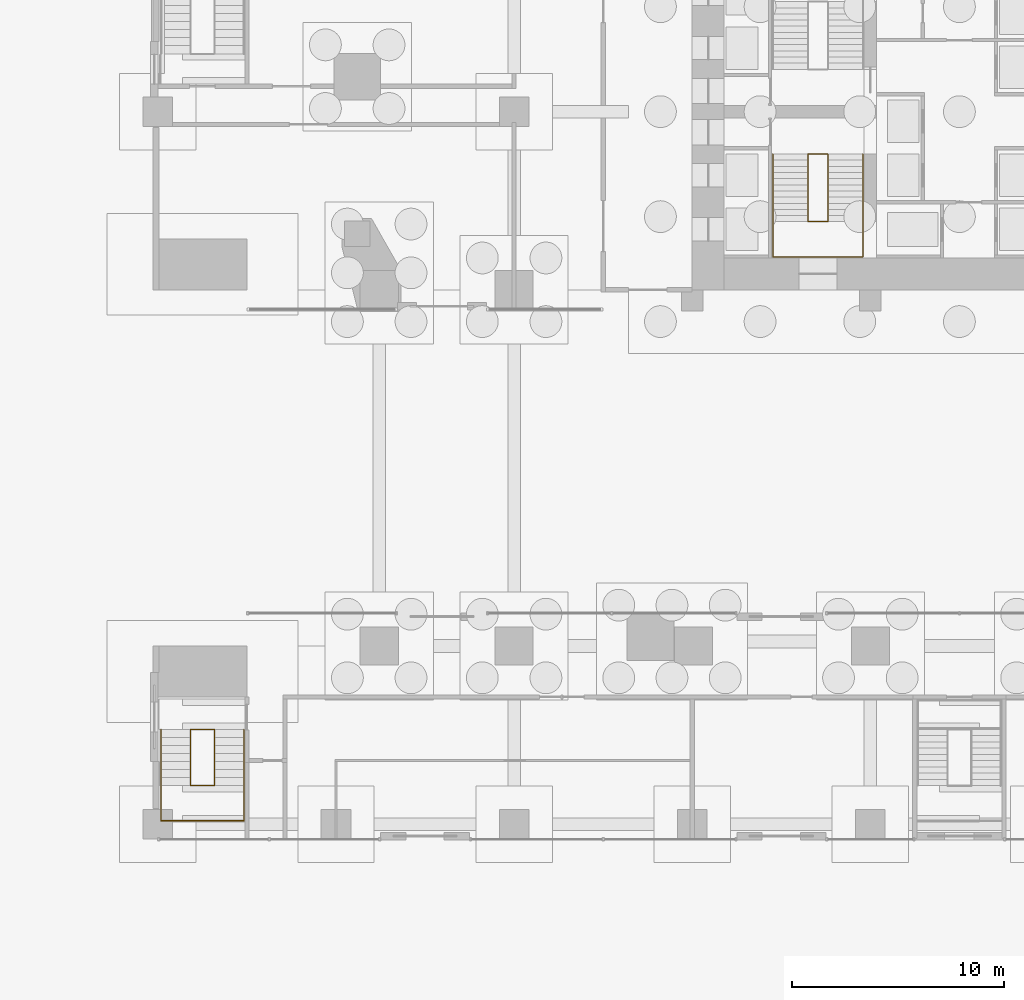
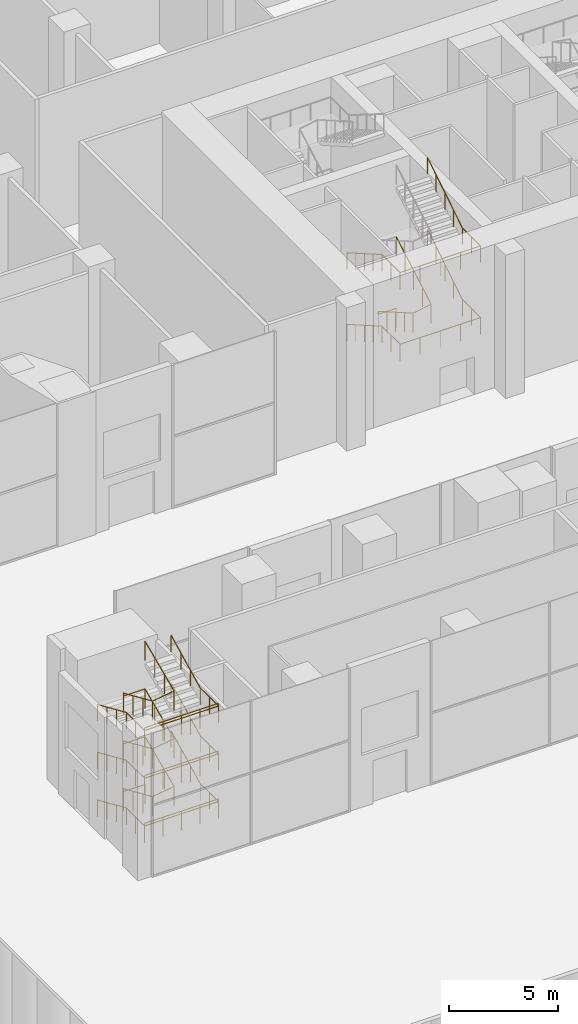
# One storey, part 24 of 31: 12 railings.
"""IFC4 building model written with IfcOpenShell, lengths in metres."""

from ifc_helpers import new_model, si_unit, direction, frame, origin, origin_2d, place, context, subcontext, project, spatial, circle, extrude, material, type_object, element, save


model = new_model("IFC4")

# Units and contexts
model_context = context("Model", 3, precision=1e-05, world=origin(), true_north=direction((0.0, 1.0)))
body_context = subcontext(model_context, "Body", "Model", "MODEL_VIEW")
ifc_project = project(units=[si_unit("LENGTHUNIT", "METRE"), si_unit("AREAUNIT", "SQUARE_METRE"), si_unit("VOLUMEUNIT", "CUBIC_METRE"), si_unit("PLANEANGLEUNIT", "RADIAN"), si_unit("MASSUNIT", "GRAM", prefix="KILO")], contexts=[model_context])

# Site, building, storey
site_placement = place(None, origin())
site = spatial("IfcSite", under=ifc_project, at=site_placement, CompositionType="ELEMENT")
building_placement = place(site_placement, origin())
building = spatial("IfcBuilding", under=site, at=building_placement, Name="Marenta Gate Hotel Tower", CompositionType="ELEMENT")
storey_placement = place(building_placement, origin())
storey = spatial("IfcBuildingStorey", under=building, at=storey_placement, Name="L00", CompositionType="ELEMENT", Elevation=0.0)

# Railings
ifc_material_1 = material(Name="Stainless steel", Category="steel")
railing_type_1 = type_object("IfcRailingType", Name="Core stair handrail 950", PredefinedType="HANDRAIL", material=ifc_material_1)
railing_1_placement = place(storey_placement, frame((-8.800048828125, 6.39990234375, 0.166748046875)))
element("IfcRailing", 1, at=railing_1_placement, inside=storey, type_object=railing_type_1, Name="HR-950 L00-KR-ST1-1", PredefinedType="HANDRAIL", context=body_context, shape_type="SweptSolid", body=[
    extrude(circle(Radius=0.02392578125, at=origin_2d()), frame((0.0, 0.0, 0.92578125), z_axis=(0.0, -0.867019545617, 0.498274128887), x_axis=(1.0, 0.0, 0.0)), (0.0, 0.0, 1.0), 3.67919921875),
    extrude(circle(Radius=0.02392578125, at=origin_2d()), frame((0.0, -3.18994140625, 2.75927734375), z_axis=(0.0, -1.0, 0.0), x_axis=(1.0, 0.0, 0.0)), (0.0, 0.0, 1.0), 1.659912109375),
    extrude(circle(Radius=0.02392578125, at=origin_2d()), frame((0.0, -4.849853515625, 2.75927734375), z_axis=(1.0, 0.0, 0.0), x_axis=(0.0, 1.0, 0.0)), (0.0, 0.0, 1.0), 4.25),
    extrude(circle(Radius=0.02392578125, at=origin_2d()), frame((4.25, -4.849853515625, 2.75927734375), z_axis=(0.0, 1.0, 0.0), x_axis=(-1.0, 0.0, 0.0)), (0.0, 0.0, 1.0), 1.659912109375),
    extrude(circle(Radius=0.02392578125, at=origin_2d()), frame((4.25, -3.18994140625, 2.75927734375), z_axis=(0.0, 0.847247016309, 0.531199108955), x_axis=(-1.0, 0.0, 0.0)), (0.0, 0.0, 1.0), 3.76513671875),
    extrude(circle(Radius=0.02099609375, at=origin_2d()), origin(), (0.0, 0.0, 1.0), 0.90185546875),
    extrude(circle(Radius=0.02099609375, at=origin_2d()), frame((0.0, -0.79736328125, 0.458251953125)), (0.0, 0.0, 1.0), 0.90185546875),
    extrude(circle(Radius=0.02099609375, at=origin_2d()), frame((0.0, -1.594970703125, 0.91650390625)), (0.0, 0.0, 1.0), 0.90185546875),
    extrude(circle(Radius=0.02099609375, at=origin_2d()), frame((0.0, -2.392578125, 1.375)), (0.0, 0.0, 1.0), 0.90185546875),
    extrude(circle(Radius=0.02099609375, at=origin_2d()), frame((0.0, -3.18994140625, 1.833251953125)), (0.0, 0.0, 1.0), 0.90185546875),
    extrude(circle(Radius=0.02099609375, at=origin_2d()), frame((0.0, -4.02001953125, 1.833251953125)), (0.0, 0.0, 1.0), 0.90185546875),
    extrude(circle(Radius=0.02099609375, at=origin_2d()), frame((0.0, -4.849853515625, 1.833251953125)), (0.0, 0.0, 1.0), 0.90185546875),
    extrude(circle(Radius=0.02099609375, at=origin_2d()), frame((1.0625, -4.849853515625, 1.833251953125)), (0.0, 0.0, 1.0), 0.90185546875),
    extrude(circle(Radius=0.02099609375, at=origin_2d()), frame((2.125, -4.849853515625, 1.833251953125)), (0.0, 0.0, 1.0), 0.90185546875),
    extrude(circle(Radius=0.02099609375, at=origin_2d()), frame((3.1875, -4.849853515625, 1.833251953125)), (0.0, 0.0, 1.0), 0.90185546875),
    extrude(circle(Radius=0.02099609375, at=origin_2d()), frame((4.25, -4.849853515625, 1.833251953125)), (0.0, 0.0, 1.0), 0.90185546875),
    extrude(circle(Radius=0.02099609375, at=origin_2d()), frame((4.25, -4.02001953125, 1.833251953125)), (0.0, 0.0, 1.0), 0.90185546875),
    extrude(circle(Radius=0.02099609375, at=origin_2d()), frame((4.25, -3.18994140625, 1.833251953125)), (0.0, 0.0, 1.0), 0.90185546875),
    extrude(circle(Radius=0.02099609375, at=origin_2d()), frame((4.25, -2.392578125, 2.333251953125)), (0.0, 0.0, 1.0), 0.90185546875),
    extrude(circle(Radius=0.02099609375, at=origin_2d()), frame((4.25, -1.594970703125, 2.833251953125)), (0.0, 0.0, 1.0), 0.90185546875),
    extrude(circle(Radius=0.02099609375, at=origin_2d()), frame((4.25, -0.79736328125, 3.333251953125)), (0.0, 0.0, 1.0), 0.90185546875),
    extrude(circle(Radius=0.02099609375, at=origin_2d()), frame((4.25, 0.0, 3.833251953125)), (0.0, 0.0, 1.0), 0.90185546875),
])
railing_2_placement = place(storey_placement, frame((-8.800048828125, 6.39990234375, 4.166748046875)))
element("IfcRailing", 2, at=railing_2_placement, inside=storey, type_object=railing_type_1, Name="HR-950 L00-KR-ST1-3", PredefinedType="HANDRAIL", context=body_context, shape_type="SweptSolid", body=[
    extrude(circle(Radius=0.02392578125, at=origin_2d()), frame((0.0, 0.0, 0.92578125), z_axis=(0.0, -0.867019545617, 0.498274128887), x_axis=(1.0, 0.0, 0.0)), (0.0, 0.0, 1.0), 3.67919921875),
    extrude(circle(Radius=0.02392578125, at=origin_2d()), frame((0.0, -3.18994140625, 2.75927734375), z_axis=(0.0, -1.0, 0.0), x_axis=(1.0, 0.0, 0.0)), (0.0, 0.0, 1.0), 1.659912109375),
    extrude(circle(Radius=0.02392578125, at=origin_2d()), frame((0.0, -4.849853515625, 2.75927734375), z_axis=(1.0, 0.0, 0.0), x_axis=(0.0, 1.0, 0.0)), (0.0, 0.0, 1.0), 4.25),
    extrude(circle(Radius=0.02392578125, at=origin_2d()), frame((4.25, -4.849853515625, 2.75927734375), z_axis=(0.0, 1.0, 0.0), x_axis=(-1.0, 0.0, 0.0)), (0.0, 0.0, 1.0), 1.659912109375),
    extrude(circle(Radius=0.02392578125, at=origin_2d()), frame((4.25, -3.18994140625, 2.75927734375), z_axis=(0.0, 0.847247016309, 0.531199108955), x_axis=(-1.0, 0.0, 0.0)), (0.0, 0.0, 1.0), 3.76513671875),
    extrude(circle(Radius=0.02099609375, at=origin_2d()), origin(), (0.0, 0.0, 1.0), 0.90185546875),
    extrude(circle(Radius=0.02099609375, at=origin_2d()), frame((0.0, -0.79736328125, 0.458251953125)), (0.0, 0.0, 1.0), 0.90185546875),
    extrude(circle(Radius=0.02099609375, at=origin_2d()), frame((0.0, -1.594970703125, 0.91650390625)), (0.0, 0.0, 1.0), 0.90185546875),
    extrude(circle(Radius=0.02099609375, at=origin_2d()), frame((0.0, -2.392578125, 1.375)), (0.0, 0.0, 1.0), 0.90185546875),
    extrude(circle(Radius=0.02099609375, at=origin_2d()), frame((0.0, -3.18994140625, 1.833251953125)), (0.0, 0.0, 1.0), 0.90185546875),
    extrude(circle(Radius=0.02099609375, at=origin_2d()), frame((0.0, -4.02001953125, 1.833251953125)), (0.0, 0.0, 1.0), 0.90185546875),
    extrude(circle(Radius=0.02099609375, at=origin_2d()), frame((0.0, -4.849853515625, 1.833251953125)), (0.0, 0.0, 1.0), 0.90185546875),
    extrude(circle(Radius=0.02099609375, at=origin_2d()), frame((1.0625, -4.849853515625, 1.833251953125)), (0.0, 0.0, 1.0), 0.90185546875),
    extrude(circle(Radius=0.02099609375, at=origin_2d()), frame((2.125, -4.849853515625, 1.833251953125)), (0.0, 0.0, 1.0), 0.90185546875),
    extrude(circle(Radius=0.02099609375, at=origin_2d()), frame((3.1875, -4.849853515625, 1.833251953125)), (0.0, 0.0, 1.0), 0.90185546875),
    extrude(circle(Radius=0.02099609375, at=origin_2d()), frame((4.25, -4.849853515625, 1.833251953125)), (0.0, 0.0, 1.0), 0.90185546875),
    extrude(circle(Radius=0.02099609375, at=origin_2d()), frame((4.25, -4.02001953125, 1.833251953125)), (0.0, 0.0, 1.0), 0.90185546875),
    extrude(circle(Radius=0.02099609375, at=origin_2d()), frame((4.25, -3.18994140625, 1.833251953125)), (0.0, 0.0, 1.0), 0.90185546875),
    extrude(circle(Radius=0.02099609375, at=origin_2d()), frame((4.25, -2.392578125, 2.333251953125)), (0.0, 0.0, 1.0), 0.90185546875),
    extrude(circle(Radius=0.02099609375, at=origin_2d()), frame((4.25, -1.594970703125, 2.833251953125)), (0.0, 0.0, 1.0), 0.90185546875),
    extrude(circle(Radius=0.02099609375, at=origin_2d()), frame((4.25, -0.79736328125, 3.333251953125)), (0.0, 0.0, 1.0), 0.90185546875),
    extrude(circle(Radius=0.02099609375, at=origin_2d()), frame((4.25, 0.0, 3.833251953125)), (0.0, 0.0, 1.0), 0.90185546875),
])
railing_3_placement = place(storey_placement, frame((-37.64990234375, -20.72998046875, 0.166748046875)))
element("IfcRailing", 3, at=railing_3_placement, inside=storey, type_object=railing_type_1, Name="HR-950 L00-KR-PX1-2", PredefinedType="HANDRAIL", context=body_context, shape_type="SweptSolid", body=[
    extrude(circle(Radius=0.02392578125, at=origin_2d()), frame((0.0, 0.0, 0.92578125), z_axis=(0.0, -0.915803938995, 0.401625628317), x_axis=(1.0, 0.0, 0.0)), (0.0, 0.0, 1.0), 2.904541015625),
    extrude(circle(Radius=0.02392578125, at=origin_2d()), frame((0.0, -2.659912109375, 2.09228515625), z_axis=(0.0, -1.0, 0.0), x_axis=(1.0, 0.0, 0.0)), (0.0, 0.0, 1.0), 1.66015625),
    extrude(circle(Radius=0.02392578125, at=origin_2d()), frame((0.0, -4.320068359375, 2.09228515625), z_axis=(1.0, 0.0, 0.0), x_axis=(0.0, 1.0, 0.0)), (0.0, 0.0, 1.0), 3.89990234375),
    extrude(circle(Radius=0.02392578125, at=origin_2d()), frame((3.89990234375, -4.320068359375, 2.09228515625), z_axis=(0.0, 1.0, 0.0), x_axis=(-1.0, 0.0, 0.0)), (0.0, 0.0, 1.0), 1.66015625),
    extrude(circle(Radius=0.02392578125, at=origin_2d()), frame((3.89990234375, -2.659912109375, 2.09228515625), z_axis=(0.0, 0.89395078604, 0.448165139362), x_axis=(-1.0, 0.0, 0.0)), (0.0, 0.0, 1.0), 2.975341796875),
    extrude(circle(Radius=0.02099609375, at=origin_2d()), origin(), (0.0, 0.0, 1.0), 0.90185546875),
    extrude(circle(Radius=0.02099609375, at=origin_2d()), frame((0.0, -0.88671875, 0.388916015625)), (0.0, 0.0, 1.0), 0.90185546875),
    extrude(circle(Radius=0.02099609375, at=origin_2d()), frame((0.0, -1.773193359375, 0.777587890625)), (0.0, 0.0, 1.0), 0.90185546875),
    extrude(circle(Radius=0.02099609375, at=origin_2d()), frame((0.0, -2.659912109375, 1.16650390625)), (0.0, 0.0, 1.0), 0.90185546875),
    extrude(circle(Radius=0.02099609375, at=origin_2d()), frame((0.0, -3.489990234375, 1.16650390625)), (0.0, 0.0, 1.0), 0.90185546875),
    extrude(circle(Radius=0.02099609375, at=origin_2d()), frame((0.0, -4.320068359375, 1.16650390625)), (0.0, 0.0, 1.0), 0.90185546875),
    extrude(circle(Radius=0.02099609375, at=origin_2d()), frame((0.97509765625, -4.320068359375, 1.16650390625)), (0.0, 0.0, 1.0), 0.90185546875),
    extrude(circle(Radius=0.02099609375, at=origin_2d()), frame((1.949951171875, -4.320068359375, 1.16650390625)), (0.0, 0.0, 1.0), 0.90185546875),
    extrude(circle(Radius=0.02099609375, at=origin_2d()), frame((2.9248046875, -4.320068359375, 1.16650390625)), (0.0, 0.0, 1.0), 0.90185546875),
    extrude(circle(Radius=0.02099609375, at=origin_2d()), frame((3.89990234375, -4.320068359375, 1.16650390625)), (0.0, 0.0, 1.0), 0.90185546875),
    extrude(circle(Radius=0.02099609375, at=origin_2d()), frame((3.89990234375, -3.489990234375, 1.16650390625)), (0.0, 0.0, 1.0), 0.90185546875),
    extrude(circle(Radius=0.02099609375, at=origin_2d()), frame((3.89990234375, -2.659912109375, 1.16650390625)), (0.0, 0.0, 1.0), 0.90185546875),
    extrude(circle(Radius=0.02099609375, at=origin_2d()), frame((3.89990234375, -1.773193359375, 1.611083984375)), (0.0, 0.0, 1.0), 0.90185546875),
    extrude(circle(Radius=0.02099609375, at=origin_2d()), frame((3.89990234375, -0.88671875, 2.055419921875)), (0.0, 0.0, 1.0), 0.90185546875),
    extrude(circle(Radius=0.02099609375, at=origin_2d()), frame((3.89990234375, 0.0, 2.5)), (0.0, 0.0, 1.0), 0.90185546875),
])
railing_4_placement = place(storey_placement, frame((-37.64990234375, -20.72998046875, 2.833251953125)))
element("IfcRailing", 4, at=railing_4_placement, inside=storey, type_object=railing_type_1, Name="HR-950 L00-KR-PX1-5", PredefinedType="HANDRAIL", context=body_context, shape_type="SweptSolid", body=[
    extrude(circle(Radius=0.02392578125, at=origin_2d()), frame((0.0, 0.0, 0.92578125), z_axis=(0.0, -0.915773020194, 0.401696123314), x_axis=(1.0, 0.0, 0.0)), (0.0, 0.0, 1.0), 2.904541015625),
    extrude(circle(Radius=0.02392578125, at=origin_2d()), frame((0.0, -2.659912109375, 2.0927734375), z_axis=(0.0, -1.0, 0.0), x_axis=(1.0, 0.0, 0.0)), (0.0, 0.0, 1.0), 1.66015625),
    extrude(circle(Radius=0.02392578125, at=origin_2d()), frame((0.0, -4.320068359375, 2.0927734375), z_axis=(1.0, 0.0, 0.0), x_axis=(0.0, 1.0, 0.0)), (0.0, 0.0, 1.0), 3.89990234375),
    extrude(circle(Radius=0.02392578125, at=origin_2d()), frame((3.89990234375, -4.320068359375, 2.0927734375), z_axis=(0.0, 1.0, 0.0), x_axis=(-1.0, 0.0, 0.0)), (0.0, 0.0, 1.0), 1.66015625),
    extrude(circle(Radius=0.02392578125, at=origin_2d()), frame((3.89990234375, -2.659912109375, 2.0927734375), z_axis=(0.0, 0.893983657746, 0.448099564475), x_axis=(-1.0, 0.0, 0.0)), (0.0, 0.0, 1.0), 2.975341796875),
    extrude(circle(Radius=0.02099609375, at=origin_2d()), origin(), (0.0, 0.0, 1.0), 0.90185546875),
    extrude(circle(Radius=0.02099609375, at=origin_2d()), frame((0.0, -0.88671875, 0.388916015625)), (0.0, 0.0, 1.0), 0.90185546875),
    extrude(circle(Radius=0.02099609375, at=origin_2d()), frame((0.0, -1.773193359375, 0.77783203125)), (0.0, 0.0, 1.0), 0.90185546875),
    extrude(circle(Radius=0.02099609375, at=origin_2d()), frame((0.0, -2.659912109375, 1.166748046875)), (0.0, 0.0, 1.0), 0.90185546875),
    extrude(circle(Radius=0.02099609375, at=origin_2d()), frame((0.0, -3.489990234375, 1.166748046875)), (0.0, 0.0, 1.0), 0.90185546875),
    extrude(circle(Radius=0.02099609375, at=origin_2d()), frame((0.0, -4.320068359375, 1.166748046875)), (0.0, 0.0, 1.0), 0.90185546875),
    extrude(circle(Radius=0.02099609375, at=origin_2d()), frame((0.97509765625, -4.320068359375, 1.166748046875)), (0.0, 0.0, 1.0), 0.90185546875),
    extrude(circle(Radius=0.02099609375, at=origin_2d()), frame((1.949951171875, -4.320068359375, 1.166748046875)), (0.0, 0.0, 1.0), 0.90185546875),
    extrude(circle(Radius=0.02099609375, at=origin_2d()), frame((2.9248046875, -4.320068359375, 1.166748046875)), (0.0, 0.0, 1.0), 0.90185546875),
    extrude(circle(Radius=0.02099609375, at=origin_2d()), frame((3.89990234375, -4.320068359375, 1.166748046875)), (0.0, 0.0, 1.0), 0.90185546875),
    extrude(circle(Radius=0.02099609375, at=origin_2d()), frame((3.89990234375, -3.489990234375, 1.166748046875)), (0.0, 0.0, 1.0), 0.90185546875),
    extrude(circle(Radius=0.02099609375, at=origin_2d()), frame((3.89990234375, -2.659912109375, 1.166748046875)), (0.0, 0.0, 1.0), 0.90185546875),
    extrude(circle(Radius=0.02099609375, at=origin_2d()), frame((3.89990234375, -1.773193359375, 1.611083984375)), (0.0, 0.0, 1.0), 0.90185546875),
    extrude(circle(Radius=0.02099609375, at=origin_2d()), frame((3.89990234375, -0.88671875, 2.0556640625)), (0.0, 0.0, 1.0), 0.90185546875),
    extrude(circle(Radius=0.02099609375, at=origin_2d()), frame((3.89990234375, 0.0, 2.5)), (0.0, 0.0, 1.0), 0.90185546875),
])
railing_5_placement = place(storey_placement, frame((-37.64990234375, -20.72998046875, 5.5)))
element("IfcRailing", 5, at=railing_5_placement, inside=storey, type_object=railing_type_1, Name="HR-950 L00-KR-PX1-8", PredefinedType="HANDRAIL", context=body_context, shape_type="SweptSolid", body=[
    extrude(circle(Radius=0.02392578125, at=origin_2d()), frame((0.0, 0.0, 0.92578125), z_axis=(0.0, -0.915773020194, 0.401696123314), x_axis=(1.0, 0.0, 0.0)), (0.0, 0.0, 1.0), 2.904541015625),
    extrude(circle(Radius=0.02392578125, at=origin_2d()), frame((0.0, -2.659912109375, 2.0927734375), z_axis=(0.0, -1.0, 0.0), x_axis=(1.0, 0.0, 0.0)), (0.0, 0.0, 1.0), 1.66015625),
    extrude(circle(Radius=0.02392578125, at=origin_2d()), frame((0.0, -4.320068359375, 2.0927734375), z_axis=(1.0, 0.0, 0.0), x_axis=(0.0, 1.0, 0.0)), (0.0, 0.0, 1.0), 3.89990234375),
    extrude(circle(Radius=0.02392578125, at=origin_2d()), frame((3.89990234375, -4.320068359375, 2.0927734375), z_axis=(0.0, 1.0, 0.0), x_axis=(-1.0, 0.0, 0.0)), (0.0, 0.0, 1.0), 1.66015625),
    extrude(circle(Radius=0.02392578125, at=origin_2d()), frame((3.89990234375, -2.659912109375, 2.0927734375), z_axis=(0.0, 0.893983657746, 0.448099564475), x_axis=(-1.0, 0.0, 0.0)), (0.0, 0.0, 1.0), 2.975341796875),
    extrude(circle(Radius=0.02099609375, at=origin_2d()), origin(), (0.0, 0.0, 1.0), 0.90185546875),
    extrude(circle(Radius=0.02099609375, at=origin_2d()), frame((0.0, -0.88671875, 0.388916015625)), (0.0, 0.0, 1.0), 0.90185546875),
    extrude(circle(Radius=0.02099609375, at=origin_2d()), frame((0.0, -1.773193359375, 0.77783203125)), (0.0, 0.0, 1.0), 0.90185546875),
    extrude(circle(Radius=0.02099609375, at=origin_2d()), frame((0.0, -2.659912109375, 1.166748046875)), (0.0, 0.0, 1.0), 0.90185546875),
    extrude(circle(Radius=0.02099609375, at=origin_2d()), frame((0.0, -3.489990234375, 1.166748046875)), (0.0, 0.0, 1.0), 0.90185546875),
    extrude(circle(Radius=0.02099609375, at=origin_2d()), frame((0.0, -4.320068359375, 1.166748046875)), (0.0, 0.0, 1.0), 0.90185546875),
    extrude(circle(Radius=0.02099609375, at=origin_2d()), frame((0.97509765625, -4.320068359375, 1.166748046875)), (0.0, 0.0, 1.0), 0.90185546875),
    extrude(circle(Radius=0.02099609375, at=origin_2d()), frame((1.949951171875, -4.320068359375, 1.166748046875)), (0.0, 0.0, 1.0), 0.90185546875),
    extrude(circle(Radius=0.02099609375, at=origin_2d()), frame((2.9248046875, -4.320068359375, 1.166748046875)), (0.0, 0.0, 1.0), 0.90185546875),
    extrude(circle(Radius=0.02099609375, at=origin_2d()), frame((3.89990234375, -4.320068359375, 1.166748046875)), (0.0, 0.0, 1.0), 0.90185546875),
    extrude(circle(Radius=0.02099609375, at=origin_2d()), frame((3.89990234375, -3.489990234375, 1.166748046875)), (0.0, 0.0, 1.0), 0.90185546875),
    extrude(circle(Radius=0.02099609375, at=origin_2d()), frame((3.89990234375, -2.659912109375, 1.166748046875)), (0.0, 0.0, 1.0), 0.90185546875),
    extrude(circle(Radius=0.02099609375, at=origin_2d()), frame((3.89990234375, -1.773193359375, 1.611083984375)), (0.0, 0.0, 1.0), 0.90185546875),
    extrude(circle(Radius=0.02099609375, at=origin_2d()), frame((3.89990234375, -0.88671875, 2.0556640625)), (0.0, 0.0, 1.0), 0.90185546875),
    extrude(circle(Radius=0.02099609375, at=origin_2d()), frame((3.89990234375, 0.0, 2.5)), (0.0, 0.0, 1.0), 0.90185546875),
])
ifc_material_2 = material(Name="Stainless steel", Category="steel")
railing_type_2 = type_object("IfcRailingType", Name="Core stair well guard 1100", PredefinedType="GUARDRAIL", material=ifc_material_2)
railing_6_placement = place(storey_placement, frame((-6.199951171875, 6.39990234375, 0.0)))
element("IfcRailing", 6, at=railing_6_placement, inside=storey, type_object=railing_type_2, Name="GR-1100 L00-KR-ST1-2", PredefinedType="GUARDRAIL", context=body_context, shape_type="SweptSolid", body=[
    extrude(circle(Radius=0.02392578125, at=origin_2d()), frame((0.0, 0.0, 1.076171875), z_axis=(-1.0, 0.0, 0.0), x_axis=(0.0, -1.0, 0.0)), (0.0, 0.0, 1.0), 0.949951171875),
    extrude(circle(Radius=0.02392578125, at=origin_2d()), frame((-0.949951171875, 0.0, 1.076171875), z_axis=(0.0, 0.0, 1.0), x_axis=(1.0, 0.0, 0.0)), (0.0, 0.0, 1.0), 0.166748046875),
    extrude(circle(Radius=0.02392578125, at=origin_2d()), frame((-0.949951171875, 0.0, 1.24267578125), z_axis=(0.0, -0.867019545617, 0.498274128887), x_axis=(1.0, 0.0, 0.0)), (0.0, 0.0, 1.0), 3.67919921875),
    extrude(circle(Radius=0.02392578125, at=origin_2d()), frame((-0.949951171875, -3.18994140625, 3.076171875), z_axis=(0.984941147704, 0.0, 0.172889952167), x_axis=(0.0, 1.0, 0.0)), (0.0, 0.0, 1.0), 0.96435546875),
    extrude(circle(Radius=0.02392578125, at=origin_2d()), frame((0.0, -3.18994140625, 3.24267578125), z_axis=(0.0, 0.867019545617, 0.498274128887), x_axis=(-1.0, 0.0, 0.0)), (0.0, 0.0, 1.0), 3.67919921875),
    extrude(circle(Radius=0.02099609375, at=origin_2d()), origin(), (0.0, 0.0, 1.0), 1.052001953125),
    extrude(circle(Radius=0.02099609375, at=origin_2d()), frame((-0.949951171875, 0.0, 0.0)), (0.0, 0.0, 1.0), 1.052001953125),
    extrude(circle(Radius=0.02099609375, at=origin_2d()), frame((-0.949951171875, 0.0, 0.166748046875)), (0.0, 0.0, 1.0), 1.052001953125),
    extrude(circle(Radius=0.02099609375, at=origin_2d()), frame((-0.949951171875, -0.79736328125, 0.625)), (0.0, 0.0, 1.0), 1.052001953125),
    extrude(circle(Radius=0.02099609375, at=origin_2d()), frame((-0.949951171875, -1.594970703125, 1.08349609375)), (0.0, 0.0, 1.0), 1.052001953125),
    extrude(circle(Radius=0.02099609375, at=origin_2d()), frame((-0.949951171875, -2.392578125, 1.541748046875)), (0.0, 0.0, 1.0), 1.052001953125),
    extrude(circle(Radius=0.02099609375, at=origin_2d()), frame((-0.949951171875, -3.18994140625, 2.0)), (0.0, 0.0, 1.0), 1.052001953125),
    extrude(circle(Radius=0.02099609375, at=origin_2d()), frame((0.0, -3.18994140625, 2.166748046875)), (0.0, 0.0, 1.0), 1.052001953125),
    extrude(circle(Radius=0.02099609375, at=origin_2d()), frame((0.0, -2.392578125, 2.625)), (0.0, 0.0, 1.0), 1.052001953125),
    extrude(circle(Radius=0.02099609375, at=origin_2d()), frame((0.0, -1.594970703125, 3.08349609375)), (0.0, 0.0, 1.0), 1.052001953125),
    extrude(circle(Radius=0.02099609375, at=origin_2d()), frame((0.0, -0.79736328125, 3.541748046875)), (0.0, 0.0, 1.0), 1.052001953125),
    extrude(circle(Radius=0.02099609375, at=origin_2d()), frame((0.0, 0.0, 4.0)), (0.0, 0.0, 1.0), 1.052001953125),
])
railing_7_placement = place(storey_placement, frame((-37.64990234375, -25.050048828125, 1.333251953125)))
element("IfcRailing", 7, at=railing_7_placement, inside=storey, type_object=railing_type_2, Name="GR-1100 L00-KR-PX1-1", PredefinedType="GUARDRAIL", context=body_context, shape_type="SweptSolid", body=[
    extrude(circle(Radius=0.02392578125, at=origin_2d()), frame((0.0, 0.0, 1.076171875), z_axis=(1.0, 0.0, 0.0), x_axis=(0.0, 1.0, 0.0)), (0.0, 0.0, 1.0), 3.89990234375),
    extrude(circle(Radius=0.02099609375, at=origin_2d()), origin(), (0.0, 0.0, 1.0), 1.052001953125),
    extrude(circle(Radius=0.02099609375, at=origin_2d()), frame((0.97509765625, 0.0, 0.0)), (0.0, 0.0, 1.0), 1.052001953125),
    extrude(circle(Radius=0.02099609375, at=origin_2d()), frame((1.949951171875, 0.0, 0.0)), (0.0, 0.0, 1.0), 1.052001953125),
    extrude(circle(Radius=0.02099609375, at=origin_2d()), frame((2.9248046875, 0.0, 0.0)), (0.0, 0.0, 1.0), 1.052001953125),
    extrude(circle(Radius=0.02099609375, at=origin_2d()), frame((3.89990234375, 0.0, 0.0)), (0.0, 0.0, 1.0), 1.052001953125),
])
railing_8_placement = place(storey_placement, frame((-35.1298828125, -20.72998046875, 0.0)))
element("IfcRailing", 8, at=railing_8_placement, inside=storey, type_object=railing_type_2, Name="GR-1100 L00-KR-PX1-3", PredefinedType="GUARDRAIL", context=body_context, shape_type="SweptSolid", body=[
    extrude(circle(Radius=0.02392578125, at=origin_2d()), frame((0.0, 0.0, 1.076171875), z_axis=(-1.0, 0.0, 0.0), x_axis=(0.0, -1.0, 0.0)), (0.0, 0.0, 1.0), 1.14013671875),
    extrude(circle(Radius=0.02392578125, at=origin_2d()), frame((-1.14013671875, 0.0, 1.076171875), z_axis=(0.0, 0.0, 1.0), x_axis=(1.0, 0.0, 0.0)), (0.0, 0.0, 1.0), 0.166748046875),
    extrude(circle(Radius=0.02392578125, at=origin_2d()), frame((-1.14013671875, 0.0, 1.24267578125), z_axis=(0.0, -0.915803938995, 0.401625628317), x_axis=(1.0, 0.0, 0.0)), (0.0, 0.0, 1.0), 2.904541015625),
    extrude(circle(Radius=0.02392578125, at=origin_2d()), frame((-1.14013671875, -2.659912109375, 2.4091796875), z_axis=(0.989473647251, 0.0, 0.144713169394), x_axis=(0.0, 1.0, 0.0)), (0.0, 0.0, 1.0), 1.15234375),
    extrude(circle(Radius=0.02392578125, at=origin_2d()), frame((0.0, -2.659912109375, 2.576171875), z_axis=(0.0, 0.915773020194, 0.401696123314), x_axis=(-1.0, 0.0, 0.0)), (0.0, 0.0, 1.0), 2.904541015625),
    extrude(circle(Radius=0.02099609375, at=origin_2d()), origin(), (0.0, 0.0, 1.0), 1.052001953125),
    extrude(circle(Radius=0.02099609375, at=origin_2d()), frame((-1.14013671875, 0.0, 0.0)), (0.0, 0.0, 1.0), 1.052001953125),
    extrude(circle(Radius=0.02099609375, at=origin_2d()), frame((-1.14013671875, 0.0, 0.166748046875)), (0.0, 0.0, 1.0), 1.052001953125),
    extrude(circle(Radius=0.02099609375, at=origin_2d()), frame((-1.14013671875, -0.88671875, 0.5556640625)), (0.0, 0.0, 1.0), 1.052001953125),
    extrude(circle(Radius=0.02099609375, at=origin_2d()), frame((-1.14013671875, -1.773193359375, 0.9443359375)), (0.0, 0.0, 1.0), 1.052001953125),
    extrude(circle(Radius=0.02099609375, at=origin_2d()), frame((-1.14013671875, -2.659912109375, 1.333251953125)), (0.0, 0.0, 1.0), 1.052001953125),
    extrude(circle(Radius=0.02099609375, at=origin_2d()), frame((0.0, -2.659912109375, 1.5)), (0.0, 0.0, 1.0), 1.052001953125),
    extrude(circle(Radius=0.02099609375, at=origin_2d()), frame((0.0, -1.773193359375, 1.888916015625)), (0.0, 0.0, 1.0), 1.052001953125),
    extrude(circle(Radius=0.02099609375, at=origin_2d()), frame((0.0, -0.88671875, 2.27783203125)), (0.0, 0.0, 1.0), 1.052001953125),
    extrude(circle(Radius=0.02099609375, at=origin_2d()), frame((0.0, 0.0, 2.666748046875)), (0.0, 0.0, 1.0), 1.052001953125),
])
railing_9_placement = place(storey_placement, frame((-37.64990234375, -25.050048828125, 4.0)))
element("IfcRailing", 9, at=railing_9_placement, inside=storey, type_object=railing_type_2, Name="GR-1100 L00-KR-PX1-4", PredefinedType="GUARDRAIL", context=body_context, shape_type="SweptSolid", body=[
    extrude(circle(Radius=0.02392578125, at=origin_2d()), frame((0.0, 0.0, 1.076171875), z_axis=(1.0, 0.0, 0.0), x_axis=(0.0, 1.0, 0.0)), (0.0, 0.0, 1.0), 3.89990234375),
    extrude(circle(Radius=0.02099609375, at=origin_2d()), origin(), (0.0, 0.0, 1.0), 1.052001953125),
    extrude(circle(Radius=0.02099609375, at=origin_2d()), frame((0.97509765625, 0.0, 0.0)), (0.0, 0.0, 1.0), 1.052001953125),
    extrude(circle(Radius=0.02099609375, at=origin_2d()), frame((1.949951171875, 0.0, 0.0)), (0.0, 0.0, 1.0), 1.052001953125),
    extrude(circle(Radius=0.02099609375, at=origin_2d()), frame((2.9248046875, 0.0, 0.0)), (0.0, 0.0, 1.0), 1.052001953125),
    extrude(circle(Radius=0.02099609375, at=origin_2d()), frame((3.89990234375, 0.0, 0.0)), (0.0, 0.0, 1.0), 1.052001953125),
])
railing_10_placement = place(storey_placement, frame((-35.1298828125, -20.72998046875, 2.666748046875)))
element("IfcRailing", 10, at=railing_10_placement, inside=storey, type_object=railing_type_2, Name="GR-1100 L00-KR-PX1-6", PredefinedType="GUARDRAIL", context=body_context, shape_type="SweptSolid", body=[
    extrude(circle(Radius=0.02392578125, at=origin_2d()), frame((0.0, 0.0, 1.076171875), z_axis=(-1.0, 0.0, 0.0), x_axis=(0.0, -1.0, 0.0)), (0.0, 0.0, 1.0), 1.14013671875),
    extrude(circle(Radius=0.02392578125, at=origin_2d()), frame((-1.14013671875, 0.0, 1.076171875), z_axis=(0.0, 0.0, 1.0), x_axis=(1.0, 0.0, 0.0)), (0.0, 0.0, 1.0), 0.16650390625),
    extrude(circle(Radius=0.02392578125, at=origin_2d()), frame((-1.14013671875, 0.0, 1.24267578125), z_axis=(0.0, -0.915773020194, 0.401696123314), x_axis=(1.0, 0.0, 0.0)), (0.0, 0.0, 1.0), 2.904541015625),
    extrude(circle(Radius=0.02392578125, at=origin_2d()), frame((-1.14013671875, -2.659912109375, 2.4091796875), z_axis=(0.989473647251, 0.0, 0.144713169394), x_axis=(0.0, 1.0, 0.0)), (0.0, 0.0, 1.0), 1.15234375),
    extrude(circle(Radius=0.02392578125, at=origin_2d()), frame((0.0, -2.659912109375, 2.576171875), z_axis=(0.0, 0.915803938995, 0.401625628317), x_axis=(-1.0, 0.0, 0.0)), (0.0, 0.0, 1.0), 2.904541015625),
    extrude(circle(Radius=0.02099609375, at=origin_2d()), origin(), (0.0, 0.0, 1.0), 1.052001953125),
    extrude(circle(Radius=0.02099609375, at=origin_2d()), frame((-1.14013671875, 0.0, 0.0)), (0.0, 0.0, 1.0), 1.052001953125),
    extrude(circle(Radius=0.02099609375, at=origin_2d()), frame((-1.14013671875, 0.0, 0.16650390625)), (0.0, 0.0, 1.0), 1.052001953125),
    extrude(circle(Radius=0.02099609375, at=origin_2d()), frame((-1.14013671875, -0.88671875, 0.555419921875)), (0.0, 0.0, 1.0), 1.052001953125),
    extrude(circle(Radius=0.02099609375, at=origin_2d()), frame((-1.14013671875, -1.773193359375, 0.9443359375)), (0.0, 0.0, 1.0), 1.052001953125),
    extrude(circle(Radius=0.02099609375, at=origin_2d()), frame((-1.14013671875, -2.659912109375, 1.333251953125)), (0.0, 0.0, 1.0), 1.052001953125),
    extrude(circle(Radius=0.02099609375, at=origin_2d()), frame((0.0, -2.659912109375, 1.5)), (0.0, 0.0, 1.0), 1.052001953125),
    extrude(circle(Radius=0.02099609375, at=origin_2d()), frame((0.0, -1.773193359375, 1.888916015625)), (0.0, 0.0, 1.0), 1.052001953125),
    extrude(circle(Radius=0.02099609375, at=origin_2d()), frame((0.0, -0.88671875, 2.277587890625)), (0.0, 0.0, 1.0), 1.052001953125),
    extrude(circle(Radius=0.02099609375, at=origin_2d()), frame((0.0, 0.0, 2.66650390625)), (0.0, 0.0, 1.0), 1.052001953125),
])
railing_11_placement = place(storey_placement, frame((-37.64990234375, -25.050048828125, 6.666748046875)))
element("IfcRailing", 11, at=railing_11_placement, inside=storey, type_object=railing_type_2, Name="GR-1100 L00-KR-PX1-7", PredefinedType="GUARDRAIL", context=body_context, shape_type="SweptSolid", body=[
    extrude(circle(Radius=0.02392578125, at=origin_2d()), frame((0.0, 0.0, 1.076171875), z_axis=(1.0, 0.0, 0.0), x_axis=(0.0, 1.0, 0.0)), (0.0, 0.0, 1.0), 3.89990234375),
    extrude(circle(Radius=0.02099609375, at=origin_2d()), origin(), (0.0, 0.0, 1.0), 1.052001953125),
    extrude(circle(Radius=0.02099609375, at=origin_2d()), frame((0.97509765625, 0.0, 0.0)), (0.0, 0.0, 1.0), 1.052001953125),
    extrude(circle(Radius=0.02099609375, at=origin_2d()), frame((1.949951171875, 0.0, 0.0)), (0.0, 0.0, 1.0), 1.052001953125),
    extrude(circle(Radius=0.02099609375, at=origin_2d()), frame((2.9248046875, 0.0, 0.0)), (0.0, 0.0, 1.0), 1.052001953125),
    extrude(circle(Radius=0.02099609375, at=origin_2d()), frame((3.89990234375, 0.0, 0.0)), (0.0, 0.0, 1.0), 1.052001953125),
])
railing_12_placement = place(storey_placement, frame((-35.1298828125, -20.72998046875, 5.333251953125)))
element("IfcRailing", 12, at=railing_12_placement, inside=storey, type_object=railing_type_2, Name="GR-1100 L00-KR-PX1-9", PredefinedType="GUARDRAIL", context=body_context, shape_type="SweptSolid", body=[
    extrude(circle(Radius=0.02392578125, at=origin_2d()), frame((0.0, 0.0, 1.076171875), z_axis=(-1.0, 0.0, 0.0), x_axis=(0.0, -1.0, 0.0)), (0.0, 0.0, 1.0), 1.14013671875),
    extrude(circle(Radius=0.02392578125, at=origin_2d()), frame((-1.14013671875, 0.0, 1.076171875), z_axis=(0.0, 0.0, 1.0), x_axis=(1.0, 0.0, 0.0)), (0.0, 0.0, 1.0), 0.166748046875),
    extrude(circle(Radius=0.02392578125, at=origin_2d()), frame((-1.14013671875, 0.0, 1.24267578125), z_axis=(0.0, -0.915773020194, 0.401696123314), x_axis=(1.0, 0.0, 0.0)), (0.0, 0.0, 1.0), 2.904541015625),
    extrude(circle(Radius=0.02392578125, at=origin_2d()), frame((-1.14013671875, -2.659912109375, 2.40966796875), z_axis=(0.989503965321, 0.0, 0.144505718276), x_axis=(0.0, 1.0, 0.0)), (0.0, 0.0, 1.0), 1.15234375),
    extrude(circle(Radius=0.02392578125, at=origin_2d()), frame((0.0, -2.659912109375, 2.576171875), z_axis=(0.0, 0.915773020194, 0.401696123314), x_axis=(-1.0, 0.0, 0.0)), (0.0, 0.0, 1.0), 2.904541015625),
    extrude(circle(Radius=0.02099609375, at=origin_2d()), origin(), (0.0, 0.0, 1.0), 1.052001953125),
    extrude(circle(Radius=0.02099609375, at=origin_2d()), frame((-1.14013671875, 0.0, 0.0)), (0.0, 0.0, 1.0), 1.052001953125),
    extrude(circle(Radius=0.02099609375, at=origin_2d()), frame((-1.14013671875, 0.0, 0.166748046875)), (0.0, 0.0, 1.0), 1.052001953125),
    extrude(circle(Radius=0.02099609375, at=origin_2d()), frame((-1.14013671875, -0.88671875, 0.5556640625)), (0.0, 0.0, 1.0), 1.052001953125),
    extrude(circle(Radius=0.02099609375, at=origin_2d()), frame((-1.14013671875, -1.773193359375, 0.944580078125)), (0.0, 0.0, 1.0), 1.052001953125),
    extrude(circle(Radius=0.02099609375, at=origin_2d()), frame((-1.14013671875, -2.659912109375, 1.33349609375)), (0.0, 0.0, 1.0), 1.052001953125),
    extrude(circle(Radius=0.02099609375, at=origin_2d()), frame((0.0, -2.659912109375, 1.5)), (0.0, 0.0, 1.0), 1.052001953125),
    extrude(circle(Radius=0.02099609375, at=origin_2d()), frame((0.0, -1.773193359375, 1.888916015625)), (0.0, 0.0, 1.0), 1.052001953125),
    extrude(circle(Radius=0.02099609375, at=origin_2d()), frame((0.0, -0.88671875, 2.27783203125)), (0.0, 0.0, 1.0), 1.052001953125),
    extrude(circle(Radius=0.02099609375, at=origin_2d()), frame((0.0, 0.0, 2.666748046875)), (0.0, 0.0, 1.0), 1.052001953125),
])

save(model, "model.ifc")
